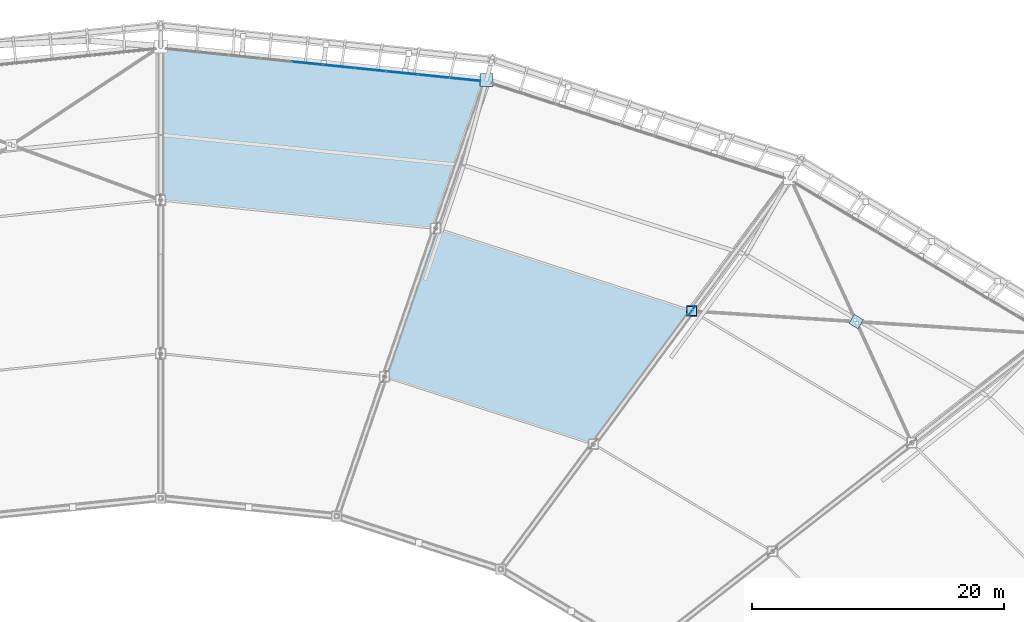
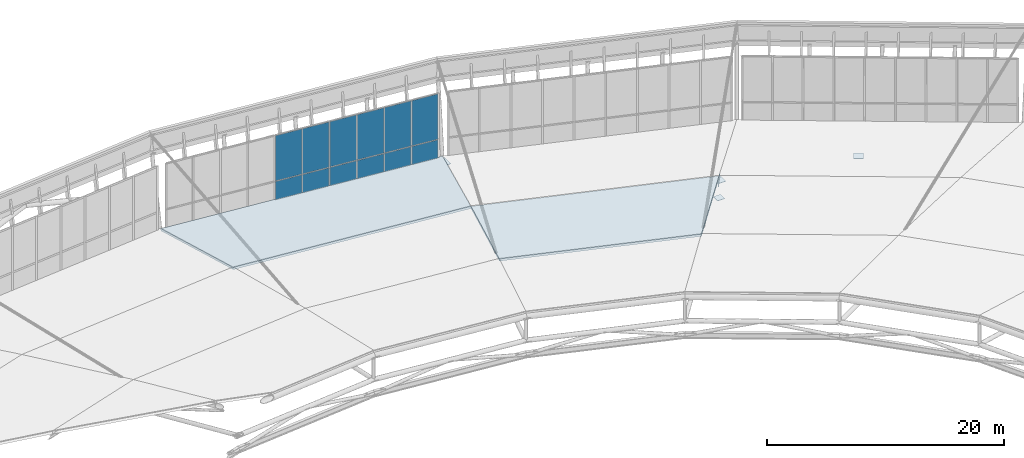
# One storey, part 98 of 115: 17 plates, 2 slabs, 2 elements without a shape of their own.
"""IFC4 building model written with IfcOpenShell, lengths in metres."""

import ifcopenshell
import ifcopenshell.guid

model = None  # the IFC model being written
_history = None  # IfcOwnerHistory: only IFC2X3 demands one
_inside = {}  # id of a spatial element -> (the spatial element, [elements in it])
_under = {}  # id of a project, library or spatial element -> (it, [spatial elements below it])
_declared = {}  # id of a project -> (the project, [libraries it declares])
_typed = {}  # id of a type object -> (the type object, [elements of that type])
_made_of = {}  # id of a material, layer set ... -> (it, [elements and type objects made of it])


def new_model(schema):
    """Start an empty IFC model of exactly this schema.

    Asked for "IFC4X3", IfcOpenShell would pick the latest addendum, in which some entities
    have other attributes; the version numbers below select the first issue.
    IFC2X3 requires an IfcOwnerHistory on every rooted entity: one is made here for all.
    """
    global model, _history
    if schema == "IFC4X3":
        model = ifcopenshell.file(schema_version=(4, 3, 0, 0))
    else:
        model = ifcopenshell.file(schema=schema)
    _inside.clear()
    _under.clear()
    _declared.clear()
    _typed.clear()
    _made_of.clear()
    _history = None
    if model.schema == "IFC2X3":
        org = make("IfcOrganization", Name="unknown")
        user = make(
            "IfcPersonAndOrganization",
            ThePerson=make("IfcPerson", FamilyName="unknown"),
            TheOrganization=org,
        )
        app = make(
            "IfcApplication",
            ApplicationDeveloper=org,
            Version="unknown",
            ApplicationFullName="unknown",
            ApplicationIdentifier="unknown",
        )
        _history = make(
            "IfcOwnerHistory",
            OwningUser=user,
            OwningApplication=app,
            ChangeAction="ADDED",
            CreationDate=0,
        )
    return model


def make(cls, **values):
    """One entity of the class cls with the attributes given. An attribute that is None is left unset."""
    return model.create_entity(
        cls, **{name: value for name, value in values.items() if value is not None}
    )


def rooted(cls, **values):
    """An entity with a GlobalId (a new one), such as an element, a storey or a relation."""
    return make(cls, GlobalId=ifcopenshell.guid.new(), OwnerHistory=_history, **values)


def si_unit(unit_type, name, prefix=None):
    """IfcSIUnit, for example si_unit("LENGTHUNIT", "METRE", prefix="MILLI")."""
    return make("IfcSIUnit", UnitType=unit_type, Prefix=prefix, Name=name)


def assignment(units):
    """IfcUnitAssignment: the units of a project."""
    return None if units is None else make("IfcUnitAssignment", Units=units)


def point(xyz):
    """IfcCartesianPoint."""
    return None if xyz is None else make("IfcCartesianPoint", Coordinates=xyz)


def direction(xyz):
    """IfcDirection."""
    return None if xyz is None else make("IfcDirection", DirectionRatios=xyz)


def frame(location, z_axis=None, x_axis=None):
    """IfcAxis2Placement3D, a coordinate frame: its origin and axes. An axis left out is left unset."""
    return make(
        "IfcAxis2Placement3D",
        Location=point(location),
        Axis=direction(z_axis),
        RefDirection=direction(x_axis),
    )


def frame_2d(location, x_axis=None):
    """IfcAxis2Placement2D, a coordinate frame in the plane: its origin and x axis."""
    return make(
        "IfcAxis2Placement2D", Location=point(location), RefDirection=direction(x_axis)
    )


def origin():
    """The frame at (0, 0, 0) with its axes left unset."""
    return frame((0.0, 0.0, 0.0))


def origin_2d():
    """The frame at (0, 0) in the plane with its x axis left unset."""
    return frame_2d((0.0, 0.0))


def place(relative_to, where):
    """IfcLocalPlacement: puts the frame where relative to a parent placement (None: the world)."""
    return make(
        "IfcLocalPlacement", PlacementRelTo=relative_to, RelativePlacement=where
    )


def context(
    kind, dimensions, precision=None, world=None, true_north=None, identifier=None
):
    """IfcGeometricRepresentationContext, for example the 3D "Model" context."""
    return make(
        "IfcGeometricRepresentationContext",
        ContextIdentifier=identifier,
        ContextType=kind,
        CoordinateSpaceDimension=dimensions,
        Precision=precision,
        WorldCoordinateSystem=world,
        TrueNorth=true_north,
    )


def subcontext(parent, identifier, kind, view, scale=None):
    """IfcGeometricRepresentationSubContext, for example "Body" below "Model"."""
    return make(
        "IfcGeometricRepresentationSubContext",
        ContextIdentifier=identifier,
        ContextType=kind,
        ParentContext=parent,
        TargetScale=scale,
        TargetView=view,
    )


def project(units=None, contexts=None):
    """IfcProject with its units and contexts."""
    return rooted(
        "IfcProject",
        Name="project",
        RepresentationContexts=contexts,
        UnitsInContext=assignment(units),
    )


def spatial(cls, under=None, at=None, **own):
    """A site, building, storey or space (cls), placed at a placement, below another one or the project."""
    s = rooted(cls, ObjectPlacement=at, **own)
    if under is not None:
        _under.setdefault(under.id(), (under, []))[1].append(s)
    return s


def polyline(points):
    """IfcPolyline through the points."""
    return make("IfcPolyline", Points=[point(p) for p in points])


def profile(cls, at=None, kind="AREA", **sizes):
    """A parametric profile (cls). Its sizes go by their IFC names, for example OverallWidth=200.0."""
    return make(cls, ProfileType=kind, Position=at, **sizes)


def rectangle(**sizes):
    """IfcRectangleProfileDef."""
    return profile("IfcRectangleProfileDef", **sizes)


def outline(outer, holes=None, kind="AREA"):
    """IfcArbitraryClosedProfileDef: a profile drawn as a closed curve; with holes, ...WithVoids."""
    if holes is None:
        return make("IfcArbitraryClosedProfileDef", ProfileType=kind, OuterCurve=outer)
    return make(
        "IfcArbitraryProfileDefWithVoids",
        ProfileType=kind,
        OuterCurve=outer,
        InnerCurves=holes,
    )


def extrude(swept, where, along, depth):
    """IfcExtrudedAreaSolid: the profile swept, set in the frame where, extruded along a direction by depth."""
    return make(
        "IfcExtrudedAreaSolid",
        SweptArea=swept,
        Position=where,
        ExtrudedDirection=direction(along),
        Depth=depth,
    )


def shape(context_of_items, identifier, shape_type, items):
    """IfcShapeRepresentation: the items that make up one representation, for example the "Body"."""
    return make(
        "IfcShapeRepresentation",
        ContextOfItems=context_of_items,
        RepresentationIdentifier=identifier,
        RepresentationType=shape_type,
        Items=items,
    )


def material(Name=None, Category=None):
    """IfcMaterial."""
    return make("IfcMaterial", Name=Name, Category=Category)


def layer(
    of_material, thickness, ventilated=None, Name=None, Category=None, Priority=None
):
    """IfcMaterialLayer: one layer of a wall or slab, of a material (None: an air gap)."""
    return make(
        "IfcMaterialLayer",
        Material=of_material,
        LayerThickness=thickness,
        IsVentilated=ventilated,
        Name=Name,
        Category=Category,
        Priority=Priority,
    )


def layer_set(layers, Name=None):
    """IfcMaterialLayerSet."""
    return make("IfcMaterialLayerSet", MaterialLayers=layers, LayerSetName=Name)


def made_of(thing, what):
    """Note that an element or type object is made of a material, layer set ...; save() writes the relation."""
    if what is not None:
        _made_of.setdefault(what.id(), (what, []))[1].append(thing)
    return thing


def type_object(cls, material=None, **own):
    """A type object (cls), such as IfcWallType, which elements share."""
    return made_of(rooted(cls, **own), material)


def element(
    cls,
    number,
    at=None,
    inside=None,
    cuts=None,
    type_object=None,
    material=None,
    context=None,
    identifier="Body",
    shape_type=None,
    held_by="IfcProductDefinitionShape",
    body=None,
    shapes=None,
    **own,
):
    """One element of the class cls, such as IfcWall. Its Tag is "e" and its number.

    at: its placement. inside: the storey or other place that contains it. cuts: it is an
    opening in that element (IfcRelVoidsElement). A single representation is given by context,
    identifier, shape_type and body (its items); several are given by shapes. held_by: the class
    of the entity that holds the representations. save() writes the other relations.
    """
    e = rooted(cls, Tag="e%d" % number, ObjectPlacement=at, **own)
    if body is not None:
        shapes = [shape(context, identifier, shape_type, body)]
    if shapes is not None:
        e.Representation = make(held_by, Representations=shapes)
    if inside is not None:
        _inside.setdefault(inside.id(), (inside, []))[1].append(e)
    if cuts is not None:
        rooted(
            "IfcRelVoidsElement", RelatingBuildingElement=cuts, RelatedOpeningElement=e
        )
    if type_object is not None:
        _typed.setdefault(type_object.id(), (type_object, []))[1].append(e)
    return made_of(e, material)


def aggregate(whole, parts):
    """IfcRelAggregates: a whole, such as a stair, and the parts it consists of."""
    return rooted("IfcRelAggregates", RelatingObject=whole, RelatedObjects=parts)


def save(model, path):
    """Write the relations noted so far, then the file.

    IfcRelAggregates (storeys below a building ...), IfcRelContainedInSpatialStructure (elements
    in a storey), IfcRelDefinesByType, IfcRelAssociatesMaterial and IfcRelDeclares: one each for
    every whole, place, type object, material and project.
    """
    for whole, parts in _under.values():
        aggregate(whole, parts)
    for where, things in _inside.values():
        rooted(
            "IfcRelContainedInSpatialStructure",
            RelatedElements=things,
            RelatingStructure=where,
        )
    for kind, things in _typed.values():
        rooted("IfcRelDefinesByType", RelatedObjects=things, RelatingType=kind)
    for what, things in _made_of.values():
        rooted("IfcRelAssociatesMaterial", RelatedObjects=things, RelatingMaterial=what)
    for by, libraries in _declared.values():
        rooted("IfcRelDeclares", RelatingContext=by, RelatedDefinitions=libraries)
    model.write(path)


model = new_model("IFC4")

# Units and contexts
model_context = context("Model", 3, precision=1e-05, world=origin(), true_north=direction((0.0, 1.0)))
body_context = subcontext(model_context, "Body", "Model", "MODEL_VIEW")
ifc_project = project(units=[si_unit("LENGTHUNIT", "METRE"), si_unit("AREAUNIT", "SQUARE_METRE"), si_unit("VOLUMEUNIT", "CUBIC_METRE"), si_unit("PLANEANGLEUNIT", "RADIAN"), si_unit("MASSUNIT", "GRAM", prefix="KILO")], contexts=[model_context])

# Site, building, storey
site_placement = place(None, origin())
site = spatial("IfcSite", under=ifc_project, at=site_placement, CompositionType="ELEMENT")
building_placement = place(site_placement, origin())
building = spatial("IfcBuilding", under=site, at=building_placement, Name="Zlatoyarsky Gate Stadium", CompositionType="ELEMENT")
storey_placement = place(building_placement, frame((0.0, 0.0, 31.800048828125)))
storey = spatial("IfcBuildingStorey", under=building, at=storey_placement, Name="RF", CompositionType="ELEMENT", Elevation=31.800048828125)

# Roof, slabs
ifc_material_1 = material(Name="Standing-seam aluminium-zinc roofing with mineral wool insulation", Category="aluminium")
ifc_layer_1 = layer(ifc_material_1, 0.080078125)
ifc_layer_set_1 = layer_set([ifc_layer_1], Name="Standing-seam aluminium-zinc roofing with mineral wool insulation")
roof_type = type_object("IfcRoofType", Name="STADIUM BARREL VAULT ROOF ASSEMBLY", PredefinedType="BARREL_ROOF", material=ifc_layer_set_1)
roof_placement = place(storey_placement, origin())
roof = element("IfcRoof", 1, at=roof_placement, inside=storey, type_object=roof_type, Name="Stadium barrel arch roof sector 2", PredefinedType="BARREL_ROOF")
ifc_material_2 = material(Name="Concrete C40/50", Category="concrete")
ifc_layer_2 = layer(ifc_material_2, 0.199951171875)
ifc_layer_set_2 = layer_set([ifc_layer_2], Name="Concrete C40/50")
slab_type = type_object("IfcSlabType", Name="COMPOSITE STADIUM ROOF DECK SLAB 200", PredefinedType="ROOF", material=ifc_layer_set_2)
slab_1_placement = place(storey_placement, frame((153.191650390625, 137.00537109375, 3.599853515625), z_axis=(0.075351968542, 0.233204753285, 0.969503802923), x_axis=(-0.951559522359, 0.30746459212, -3.31256e-07)))
slab_1 = element("IfcSlab", 2, at=slab_1_placement, type_object=slab_type, Name="Stadium arched roof deck sector 04 bay 2", PredefinedType="ROOF", context=body_context, shape_type="SweptSolid", body=[
    extrude(outline(polyline([(0.0, 0.0), (21.387588030422577, -1.7763568394002505e-15), (21.616176287943148, 12.853768736129386), (4.193878929177778, 12.853716278917283), (0.0, 0.0)])), origin(), (0.0, 0.0, -1.0), 0.199951171875),
])
slab_2_placement = place(storey_placement, frame((136.88916015625, 155.368896484375, 0.199951171875), z_axis=(0.027549713933, 0.26827762125, 0.962947626405), x_axis=(-0.994768228243, 0.102157584529, -1.052656e-06)))
slab_2 = element("IfcSlab", 3, at=slab_2_placement, type_object=slab_type, Name="Stadium arched roof deck sector 05 bay 1", PredefinedType="ROOF", context=body_context, shape_type="SweptSolid", body=[
    extrude(outline(polyline([(0.0, 0.0), (26.02531947140747, -4.440892098500626e-16), (24.77862423714168, 12.606873682931372), (2.823692360814947, 12.606686405062462), (0.0, 0.0)])), origin(), (0.0, 0.0, -1.0), 0.199951171875),
])
aggregate(roof, [slab_1, slab_2])

# Plates
ifc_material_3 = material(Name="Steel S355", Category="steel")
ifc_layer_3 = layer(ifc_material_3, 0.02392578125)
ifc_layer_set_3 = layer_set([ifc_layer_3], Name="Steel S355")
plate_type_1 = type_object("IfcPlateType", Name="STEEL COMPRESSION RING NODE CAP SHEET 24", PredefinedType="SHEET", material=ifc_layer_set_3)
plate_1_placement = place(storey_placement, frame((136.888916015625, 155.368896484375, -0.4619140625), z_axis=(0.0, 0.0, 1.0), x_axis=(1.0, 0.0, 0.0)))
element("IfcPlate", 4, at=plate_1_placement, inside=storey, type_object=plate_type_1, Name="Node closure plate ND-CR1 NCAP-CR-05", PredefinedType="SHEET", context=body_context, shape_type="SweptSolid", body=[
    extrude(rectangle(XDim=1.050048828125, YDim=1.050048828125, at=origin_2d()), origin(), (0.0, 0.0, 1.0), 0.02392578125),
])
ifc_layer_4 = layer(ifc_material_3, 0.02392578125)
ifc_layer_set_4 = layer_set([ifc_layer_4], Name="Steel S355")
plate_type_2 = type_object("IfcPlateType", Name="STEEL HOLLOW CHORD SPLICE SHEET 24", PredefinedType="SHEET", material=ifc_layer_set_4)
plate_2_placement = place(storey_placement, frame((153.191650390625, 137.00537109375, 3.137939453125), z_axis=(0.0, 0.0, 1.0), x_axis=(1.0, 0.0, 0.0)))
element("IfcPlate", 5, at=plate_2_placement, inside=storey, type_object=plate_type_2, Name="Node closure plate ND-SP1 NCAP-TCH-04-1", PredefinedType="SHEET", context=body_context, shape_type="SweptSolid", body=[
    extrude(rectangle(XDim=0.85009765625, YDim=0.85009765625, at=origin_2d()), origin(), (0.0, 0.0, 1.0), 0.02392578125),
])
plate_3_placement = place(storey_placement, frame((153.191650390625, 137.00537109375, 1.337890625), z_axis=(0.0, 0.0, 1.0), x_axis=(1.0, 0.0, 0.0)))
element("IfcPlate", 6, at=plate_3_placement, inside=storey, type_object=plate_type_2, Name="Node closure plate ND-SP1 NCAP-BCH-04-1", PredefinedType="SHEET", context=body_context, shape_type="SweptSolid", body=[
    extrude(rectangle(XDim=0.719970703125, YDim=0.719970703125, at=origin_2d()), origin(), (0.0, 0.0, 1.0), 0.02392578125),
])
ifc_layer_5 = layer(ifc_material_3, 0.031982421875)
ifc_layer_set_5 = layer_set([ifc_layer_5], Name="Steel S355")
plate_type_3 = type_object("IfcPlateType", Name="STEEL RADIAL TRUSS GUSSET PLATE 32", PredefinedType="USERDEFINED", material=ifc_layer_set_5)
plate_4_placement = place(storey_placement, frame((153.191650390625, 137.00537109375, 2.7900390625), z_axis=(0.0, 0.0, 1.0), x_axis=(-0.594913145096, -0.8037899911, 0.0)))
element("IfcPlate", 7, at=plate_4_placement, inside=storey, type_object=plate_type_3, Name="Radial truss gusset plate ND-WB1 04.1", ObjectType="GUSSET PLATE", PredefinedType="USERDEFINED", context=body_context, shape_type="SweptSolid", body=[
    extrude(rectangle(XDim=0.919921875, YDim=0.031982421875, at=origin_2d()), origin(), (0.0, 0.0, 1.0), 0.719970703125),
])
ifc_layer_6 = layer(ifc_material_3, 0.02392578125)
ifc_layer_set_6 = layer_set([ifc_layer_6], Name="Steel S355")
plate_type_4 = type_object("IfcPlateType", Name="STEEL X BRACE CROSSING NODE PLATE 24", PredefinedType="USERDEFINED", material=ifc_layer_set_6)
plate_5_placement = place(storey_placement, frame((166.25048828125, 136.167236328125, 1.582275390625), z_axis=(0.0, 0.0, 1.0), x_axis=(-0.858064905724, 0.513541252058, 0.0)))
element("IfcPlate", 8, at=plate_5_placement, inside=storey, type_object=plate_type_4, Name="Roof wind X-brace crossing gusset plate ND-XB1 03", ObjectType="GUSSET PLATE", PredefinedType="USERDEFINED", context=body_context, shape_type="SweptSolid", body=[
    extrude(rectangle(XDim=0.840087890625, YDim=0.840087890625, at=origin_2d()), origin(), (0.0, 0.0, 1.0), 0.02392578125),
])

# Curtain wall, plates
ifc_material_4 = material(Name="Thermally broken anodised aluminium curtain wall", Category="aluminium")
curtain_wall_type = type_object("IfcCurtainWallType", Name="UNITISED SKYBOX RING GLAZING L05", PredefinedType="USERDEFINED", material=ifc_material_4)
curtain_wall_placement = place(storey_placement, origin())
curtain_wall = element("IfcCurtainWall", 9, at=curtain_wall_placement, inside=storey, type_object=curtain_wall_type, Name="Curtain wall CW-RF-05", ObjectType="UNITISED GLAZING", PredefinedType="USERDEFINED")
ifc_material_5 = material(Name="Triple-glazed argon low-e architectural glass", Category="glass")
ifc_layer_7 = layer(ifc_material_5, 0.0380859375)
ifc_layer_set_7 = layer_set([ifc_layer_7], Name="Triple-glazed argon low-e architectural glass")
plate_type_5 = type_object("IfcPlateType", Name="TRIPLE GLAZED LOW E CURTAIN PANEL 38", PredefinedType="CURTAIN_PANEL", material=ifc_layer_set_7)
plate_6_placement = place(storey_placement, frame((135.185791015625, 155.40478515625, 0.06494140625), z_axis=(0.0, 0.0, 1.0), x_axis=(-0.994771556649, 0.102125168703, 0.0)))
plate_6 = element("IfcPlate", 10, at=plate_6_placement, type_object=plate_type_5, Name="CW-UG5 panel 1.1", PredefinedType="CURTAIN_PANEL", context=body_context, shape_type="SweptSolid", body=[
    extrude(rectangle(XDim=2.42138671875, YDim=0.0380859375, at=origin_2d()), origin(), (0.0, 0.0, 1.0), 2.052490234375),
])
plate_7_placement = place(storey_placement, frame((135.185791015625, 155.40478515625, 2.1826171875), z_axis=(0.0, 0.0, 1.0), x_axis=(-0.994771556649, 0.102125168703, 0.0)))
plate_7 = element("IfcPlate", 11, at=plate_7_placement, type_object=plate_type_5, Name="CW-UG5 panel 1.2", PredefinedType="CURTAIN_PANEL", context=body_context, shape_type="SweptSolid", body=[
    extrude(rectangle(XDim=2.42138671875, YDim=0.0380859375, at=origin_2d()), origin(), (0.0, 0.0, 1.0), 4.652587890625),
])
plate_8_placement = place(storey_placement, frame((132.6962890625, 155.66015625, 0.06494140625), z_axis=(0.0, 0.0, 1.0), x_axis=(-0.994771556649, 0.102125168703, 0.0)))
plate_8 = element("IfcPlate", 12, at=plate_8_placement, type_object=plate_type_5, Name="CW-UG5 panel 2.1", PredefinedType="CURTAIN_PANEL", context=body_context, shape_type="SweptSolid", body=[
    extrude(rectangle(XDim=2.453857421875, YDim=0.0380859375, at=origin_2d()), origin(), (0.0, 0.0, 1.0), 2.052490234375),
])
plate_9_placement = place(storey_placement, frame((132.6962890625, 155.66015625, 2.1826171875), z_axis=(0.0, 0.0, 1.0), x_axis=(-0.994771556649, 0.102125168703, 0.0)))
plate_9 = element("IfcPlate", 13, at=plate_9_placement, type_object=plate_type_5, Name="CW-UG5 panel 2.2", PredefinedType="CURTAIN_PANEL", context=body_context, shape_type="SweptSolid", body=[
    extrude(rectangle(XDim=2.453857421875, YDim=0.0380859375, at=origin_2d()), origin(), (0.0, 0.0, 1.0), 4.652587890625),
])
plate_10_placement = place(storey_placement, frame((130.190673828125, 155.91748046875, 0.06494140625), z_axis=(0.0, 0.0, 1.0), x_axis=(-0.994771556649, 0.102125168703, 0.0)))
plate_10 = element("IfcPlate", 14, at=plate_10_placement, type_object=plate_type_5, Name="CW-UG5 panel 3.1", PredefinedType="CURTAIN_PANEL", context=body_context, shape_type="SweptSolid", body=[
    extrude(rectangle(XDim=2.453857421875, YDim=0.0380859375, at=origin_2d()), origin(), (0.0, 0.0, 1.0), 2.052490234375),
])
plate_11_placement = place(storey_placement, frame((130.190673828125, 155.91748046875, 2.1826171875), z_axis=(0.0, 0.0, 1.0), x_axis=(-0.994771556649, 0.102125168703, 0.0)))
plate_11 = element("IfcPlate", 15, at=plate_11_placement, type_object=plate_type_5, Name="CW-UG5 panel 3.2", PredefinedType="CURTAIN_PANEL", context=body_context, shape_type="SweptSolid", body=[
    extrude(rectangle(XDim=2.453857421875, YDim=0.0380859375, at=origin_2d()), origin(), (0.0, 0.0, 1.0), 4.652587890625),
])
plate_12_placement = place(storey_placement, frame((127.68505859375, 156.1748046875, 0.06494140625), z_axis=(0.0, 0.0, 1.0), x_axis=(-0.994771556649, 0.102125168703, 0.0)))
plate_12 = element("IfcPlate", 16, at=plate_12_placement, type_object=plate_type_5, Name="CW-UG5 panel 4.1", PredefinedType="CURTAIN_PANEL", context=body_context, shape_type="SweptSolid", body=[
    extrude(rectangle(XDim=2.453857421875, YDim=0.0380859375, at=origin_2d()), origin(), (0.0, 0.0, 1.0), 2.052490234375),
])
plate_13_placement = place(storey_placement, frame((127.68505859375, 156.1748046875, 2.1826171875), z_axis=(0.0, 0.0, 1.0), x_axis=(-0.994771556649, 0.102125168703, 0.0)))
plate_13 = element("IfcPlate", 17, at=plate_13_placement, type_object=plate_type_5, Name="CW-UG5 panel 4.2", PredefinedType="CURTAIN_PANEL", context=body_context, shape_type="SweptSolid", body=[
    extrude(rectangle(XDim=2.453857421875, YDim=0.0380859375, at=origin_2d()), origin(), (0.0, 0.0, 1.0), 4.652587890625),
])
plate_14_placement = place(storey_placement, frame((125.17919921875, 156.431884765625, 0.06494140625), z_axis=(0.0, 0.0, 1.0), x_axis=(-0.994771556649, 0.102125168703, 0.0)))
plate_14 = element("IfcPlate", 18, at=plate_14_placement, type_object=plate_type_5, Name="CW-UG5 panel 5.1", PredefinedType="CURTAIN_PANEL", context=body_context, shape_type="SweptSolid", body=[
    extrude(rectangle(XDim=2.453857421875, YDim=0.0380859375, at=origin_2d()), origin(), (0.0, 0.0, 1.0), 2.052490234375),
])
plate_15_placement = place(storey_placement, frame((125.17919921875, 156.431884765625, 2.1826171875), z_axis=(0.0, 0.0, 1.0), x_axis=(-0.994771556649, 0.102125168703, 0.0)))
plate_15 = element("IfcPlate", 19, at=plate_15_placement, type_object=plate_type_5, Name="CW-UG5 panel 5.2", PredefinedType="CURTAIN_PANEL", context=body_context, shape_type="SweptSolid", body=[
    extrude(rectangle(XDim=2.453857421875, YDim=0.0380859375, at=origin_2d()), origin(), (0.0, 0.0, 1.0), 4.652587890625),
])
plate_16_placement = place(storey_placement, frame((122.673583984375, 156.689208984375, 0.06494140625), z_axis=(0.0, 0.0, 1.0), x_axis=(-0.994771556649, 0.102125168703, 0.0)))
plate_16 = element("IfcPlate", 20, at=plate_16_placement, type_object=plate_type_5, Name="CW-UG5 panel 6.1", PredefinedType="CURTAIN_PANEL", context=body_context, shape_type="SweptSolid", body=[
    extrude(rectangle(XDim=2.453857421875, YDim=0.0380859375, at=origin_2d()), origin(), (0.0, 0.0, 1.0), 2.052490234375),
])
plate_17_placement = place(storey_placement, frame((122.673583984375, 156.689208984375, 2.1826171875), z_axis=(0.0, 0.0, 1.0), x_axis=(-0.994771556649, 0.102125168703, 0.0)))
plate_17 = element("IfcPlate", 21, at=plate_17_placement, type_object=plate_type_5, Name="CW-UG5 panel 6.2", PredefinedType="CURTAIN_PANEL", context=body_context, shape_type="SweptSolid", body=[
    extrude(rectangle(XDim=2.453857421875, YDim=0.0380859375, at=origin_2d()), origin(), (0.0, 0.0, 1.0), 4.652587890625),
])
aggregate(curtain_wall, [plate_6, plate_7, plate_8, plate_9, plate_10, plate_11, plate_12, plate_13, plate_14, plate_15, plate_16, plate_17])

save(model, "model.ifc")
